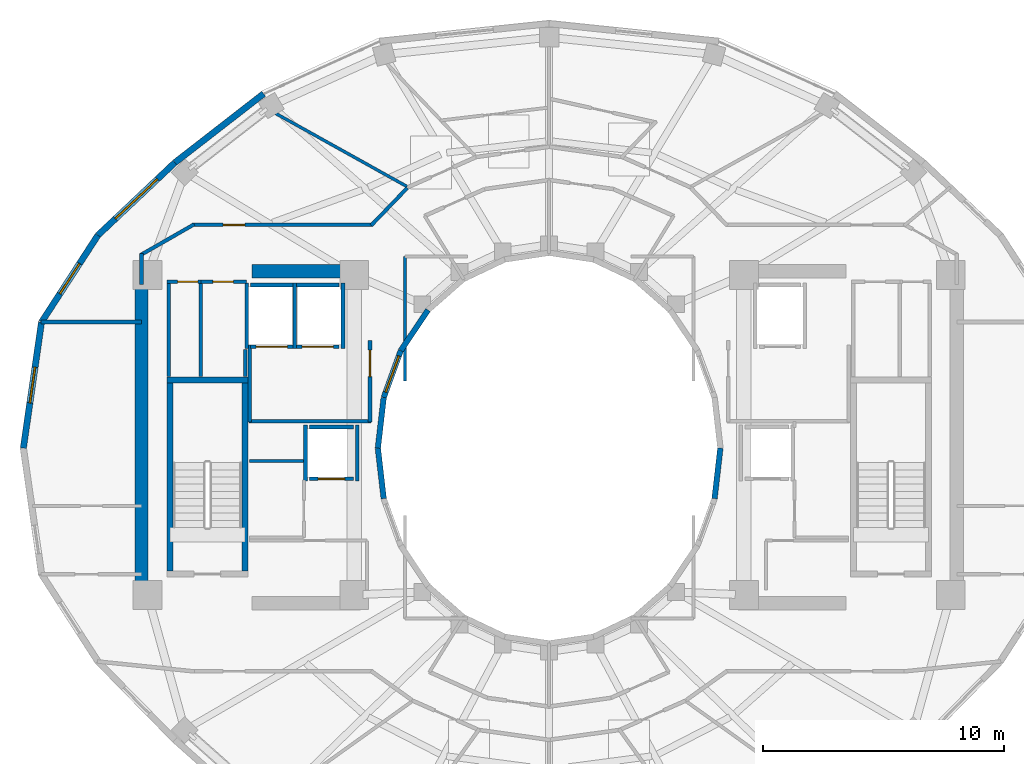
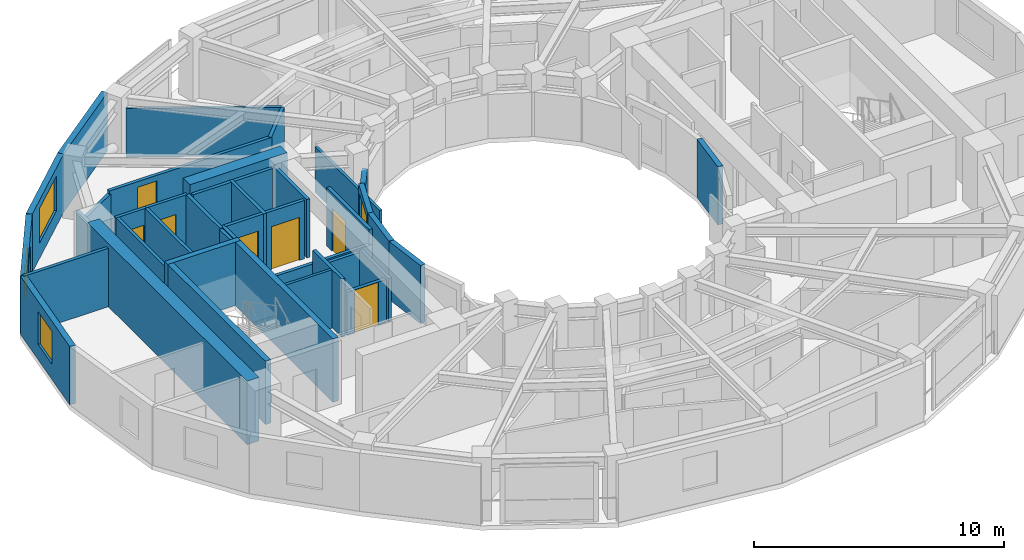
# One storey, part 11 of 16: 41 walls, 7 doors, 4 windows, 11 openings.
"""IFC4 building model written with IfcOpenShell, lengths in metres."""

from ifc_helpers import new_model, si_unit, direction, frame, frame_2d, origin, place, context, subcontext, project, spatial, rectangle, extrude, material, layer, layer_set, type_object, element, fill, save


model = new_model("IFC4")

# Units and contexts
model_context = context("Model", 3, precision=1e-05, world=origin(), true_north=direction((0.0, 1.0)))
body_context = subcontext(model_context, "Body", "Model", "MODEL_VIEW")
ifc_project = project(units=[si_unit("LENGTHUNIT", "METRE"), si_unit("AREAUNIT", "SQUARE_METRE"), si_unit("VOLUMEUNIT", "CUBIC_METRE"), si_unit("PLANEANGLEUNIT", "RADIAN"), si_unit("MASSUNIT", "GRAM", prefix="KILO")], contexts=[model_context])

# Site, building, storey
site_placement = place(None, origin())
site = spatial("IfcSite", under=ifc_project, at=site_placement, CompositionType="ELEMENT")
building_placement = place(site_placement, origin())
building = spatial("IfcBuilding", under=site, at=building_placement, Name="Solvane Sanctuary Tower", CompositionType="ELEMENT")
storey_placement = place(building_placement, frame((0.0, 0.0, 226.39990234375)))
storey = spatial("IfcBuildingStorey", under=building, at=storey_placement, Name="L69", CompositionType="ELEMENT", Elevation=226.39990234375)

# Walls
ifc_material_1 = material(Name="Concrete C50/60", Category="concrete")
ifc_layer_1 = layer(ifc_material_1, 0.550048828125, Name="Concrete C50/60")
ifc_layer_set_1 = layer_set([ifc_layer_1], Name="Concrete C50/60")
wall_type_1 = type_object("IfcWallType", Name="Wall W-CORE-550", PredefinedType="SHEAR", material=ifc_layer_set_1)
wall_1_placement = place(storey_placement, frame((15.050048828125, 17.050048828125, 0.0), z_axis=(0.0, 0.0, 1.0), x_axis=(0.0, 1.0, 0.0)))
element("IfcWall", 1, at=wall_1_placement, inside=storey, type_object=wall_type_1, Name="L69 Core Shear Wall WC-W", PredefinedType="SHEAR", context=body_context, shape_type="SweptSolid", body=[
    extrude(rectangle(XDim=12.800048828125, YDim=0.550048828125, at=frame_2d((6.39990234375, 0.0))), origin(), (0.0, 0.0, 1.0), 3.10009765625),
])
wall_2_placement = place(storey_placement, frame((19.64990234375, 30.35009765625, 0.0), z_axis=(0.0, 0.0, 1.0), x_axis=(1.0, 0.0, 0.0)))
element("IfcWall", 2, at=wall_2_placement, inside=storey, type_object=wall_type_1, Name="L69 Core Shear Wall WC-N", PredefinedType="SHEAR", context=body_context, shape_type="SweptSolid", body=[
    extrude(rectangle(XDim=4.5, YDim=0.550048828125, at=frame_2d((2.25, 0.0))), origin(), (0.0, 0.0, 1.0), 3.10009765625),
])
ifc_material_2 = material(Name="Acoustic Gypsum Partition Board")
ifc_layer_2 = layer(ifc_material_2, 0.14990234375, Name="Acoustic Gypsum Partition Board")
ifc_layer_set_2 = layer_set([ifc_layer_2], Name="Acoustic Gypsum Partition Board")
wall_type_2 = type_object("IfcWallType", Name="Wall W-CORR-150", PredefinedType="PARTITIONING", material=ifc_layer_set_2)
wall_3_placement = place(storey_placement, frame((19.52001953125, 24.1201171875, 0.0), z_axis=(0.0, 0.0, 1.0), x_axis=(1.0, 0.0, 0.0)))
element("IfcWall", 3, at=wall_3_placement, inside=storey, type_object=wall_type_2, Name="L69 West Firefighting Lobby South Wall", PredefinedType="PARTITIONING", context=body_context, shape_type="SweptSolid", body=[
    extrude(rectangle(XDim=5.080078125, YDim=0.14990234375, at=frame_2d((2.5400390625, 0.0))), origin(), (0.0, 0.0, 1.0), 2.1201171875),
])
wall_4_placement = place(storey_placement, frame((19.550048828125, 24.080078125, 0.0), z_axis=(0.0, 0.0, 1.0), x_axis=(0.0, 1.0, 0.0)))
element("IfcWall", 4, at=wall_4_placement, inside=storey, type_object=wall_type_2, Name="L69 West Firefighting Lobby West Wall", PredefinedType="PARTITIONING", context=body_context, shape_type="SweptSolid", body=[
    extrude(rectangle(XDim=3.199951171875, YDim=0.14990234375, at=frame_2d((1.60009765625, 0.0))), origin(), (0.0, 0.0, 1.0), 2.85498046875),
])

# Wall, opening, door
wall_5_placement = place(storey_placement, frame((24.550048828125, 24.080078125, 0.0), z_axis=(0.0, 0.0, 1.0), x_axis=(0.0, 1.0, 0.0)))
wall_5 = element("IfcWall", 5, at=wall_5_placement, inside=storey, type_object=wall_type_2, Name="L69 West Firefighting Lobby East Wall", PredefinedType="PARTITIONING", context=body_context, shape_type="SweptSolid", body=[
    extrude(rectangle(XDim=3.39990234375, YDim=0.14990234375, at=frame_2d((1.699951171875, 0.0))), origin(), (0.0, 0.0, 1.0), 2.85498046875),
])
opening_1_placement = place(wall_5_placement, frame((1.893798828125, 0.0, 0.0)))
opening_1 = element("IfcOpeningElement", 6, at=opening_1_placement, cuts=wall_5, Name="Opening D-L69-03", PredefinedType="OPENING", context=body_context, shape_type="SweptSolid", body=[
    extrude(rectangle(XDim=1.10009765625, YDim=2.10009765625, at=frame_2d((0.550048828125, 1.050048828125))), frame((0.0, 0.0849609375, 0.0), z_axis=(0.0, -1.0, 0.0), x_axis=(1.0, 0.0, 0.0)), (0.0, 0.0, 1.0), 0.169921875),
])
ifc_material_3 = material(Name="Architectural Stainless Steel 316", Category="steel")
door_type_1 = type_object("IfcDoorType", Name="Door D-FFL", OperationType="NOTDEFINED", PredefinedType="DOOR", material=ifc_material_3)
door_1_placement = place(opening_1_placement, origin())
door_1 = element("IfcDoor", 7, at=door_1_placement, inside=storey, type_object=door_type_1, Name="L69 West Firefighting Lobby Fire Door", OperationType="SINGLE_SWING_RIGHT", OverallHeight=2.10009765625, OverallWidth=1.10009765625, PredefinedType="DOOR", context=body_context, shape_type="SweptSolid", body=[
    extrude(rectangle(XDim=1.10009765625, YDim=2.10009765625, at=frame_2d((0.550048828125, 1.050048828125))), frame((0.0, 0.02490234375, 0.0), z_axis=(0.0, -1.0, 0.0), x_axis=(1.0, 0.0, 0.0)), (0.0, 0.0, 1.0), 0.050048828125),
])
fill(opening_1, door_1)

# Walls
wall_6_placement = place(storey_placement, frame((10.87548828125, 28.245361328125, 0.0), z_axis=(0.0, 0.0, 1.0), x_axis=(1.0, 0.0, 0.0)))
element("IfcWall", 8, at=wall_6_placement, inside=storey, type_object=wall_type_2, Name="L69 West Shoulder North Wall", PredefinedType="PARTITIONING", context=body_context, shape_type="SweptSolid", body=[
    extrude(rectangle(XDim=4.174560546875, YDim=0.14990234375, at=frame_2d((2.08740234375, 0.0))), origin(), (0.0, 0.0, 1.0), 2.85498046875),
])
wall_7_placement = place(storey_placement, frame((15.050048828125, 29.800048828125, 0.0), z_axis=(0.0, 0.0, 1.0), x_axis=(0.0, 1.0, 0.0)))
element("IfcWall", 9, at=wall_7_placement, inside=storey, type_object=wall_type_2, Name="L69 NW Corner Closer 1", PredefinedType="PARTITIONING", context=body_context, shape_type="SweptSolid", body=[
    extrude(rectangle(XDim=1.2900390625, YDim=0.14990234375, at=frame_2d((0.64501953125, 0.0))), origin(), (0.0, 0.0, 1.0), 2.85498046875),
])
wall_8_placement = place(storey_placement, frame((26.0966796875, 33.811767578125, 0.0), z_axis=(0.0, 0.0, 1.0), x_axis=(-0.694032962553, -0.719943224768, 0.0)))
element("IfcWall", 10, at=wall_8_placement, inside=storey, type_object=wall_type_2, Name="L69 NW Corner Throat Wall", PredefinedType="PARTITIONING", context=body_context, shape_type="SweptSolid", body=[
    extrude(rectangle(XDim=2.15771484375, YDim=0.14990234375, at=frame_2d((1.078857421875, 0.0))), origin(), (0.0, 0.0, 1.0), 2.3759765625),
])

# Wall, opening, door
wall_9_placement = place(storey_placement, frame((17.14990234375, 32.280029296875, 0.0), z_axis=(0.0, 0.0, 1.0), x_axis=(1.0, 0.0, 0.0)))
wall_9 = element("IfcWall", 11, at=wall_9_placement, inside=storey, type_object=wall_type_2, Name="L69 NW Corner Corridor Wall", PredefinedType="PARTITIONING", context=body_context, shape_type="SweptSolid", body=[
    extrude(rectangle(XDim=7.52001953125, YDim=0.14990234375, at=frame_2d((3.760009765625, 0.0))), origin(), (0.0, 0.0, 1.0), 2.3759765625),
])
opening_2_placement = place(wall_9_placement, frame((1.300048828125, 0.0, 0.0)))
opening_2 = element("IfcOpeningElement", 12, at=opening_2_placement, cuts=wall_9, Name="Opening D-L69-23", PredefinedType="OPENING", context=body_context, shape_type="SweptSolid", body=[
    extrude(rectangle(XDim=0.89990234375, YDim=2.10009765625, at=frame_2d((0.449951171875, 1.050048828125))), frame((0.0, 0.0849609375, 0.0), z_axis=(0.0, -1.0, 0.0), x_axis=(1.0, 0.0, 0.0)), (0.0, 0.0, 1.0), 0.169921875),
])
ifc_material_4 = material(Name="Engineered Tropical Hardwood", Category="wood")
door_type_2 = type_object("IfcDoorType", Name="Door D-WET-900", OperationType="NOTDEFINED", PredefinedType="DOOR", material=ifc_material_4)
door_2_placement = place(opening_2_placement, origin())
door_2 = element("IfcDoor", 13, at=door_2_placement, inside=storey, type_object=door_type_2, Name="L69 NW Corner Salon Door", OperationType="SINGLE_SWING_RIGHT", OverallHeight=2.10009765625, OverallWidth=0.89990234375, PredefinedType="DOOR", context=body_context, shape_type="SweptSolid", body=[
    extrude(rectangle(XDim=0.89990234375, YDim=2.10009765625, at=frame_2d((0.449951171875, 1.050048828125))), frame((0.0, 0.02490234375, 0.0), z_axis=(0.0, -1.0, 0.0), x_axis=(1.0, 0.0, 0.0)), (0.0, 0.0, 1.0), 0.050048828125),
])
fill(opening_2, door_2)

# Walls
wall_10_placement = place(storey_placement, frame((17.243408203125, 32.3046875, 0.0), z_axis=(0.0, 0.0, 1.0), x_axis=(-0.867991349648, -0.496579315857, 0.0)))
element("IfcWall", 14, at=wall_10_placement, inside=storey, type_object=wall_type_2, Name="L69 NW Corner Wing Wall", PredefinedType="PARTITIONING", context=body_context, shape_type="SweptSolid", body=[
    extrude(rectangle(XDim=2.56689453125, YDim=0.14990234375, at=frame_2d((1.283447265625, 0.0))), origin(), (0.0, 0.0, 1.0), 2.22021484375),
])
ifc_material_5 = material(Name="Precast concrete C40/50", Category="concrete")
ifc_layer_3 = layer(ifc_material_5, 0.260009765625, Name="Precast concrete C40/50")
ifc_layer_set_3 = layer_set([ifc_layer_3], Name="Precast concrete C40/50")
wall_type_3 = type_object("IfcWallType", Name="Wall W-EXT-250", PredefinedType="STANDARD", material=ifc_layer_set_3)
wall_11_placement = place(storey_placement, frame((20.1298828125, 37.732666015625, 0.0), z_axis=(0.0, 0.0, 1.0), x_axis=(-0.790126214723, -0.612944177563, 0.0)))
element("IfcWall", 15, at=wall_11_placement, inside=storey, type_object=wall_type_3, Name="L69 Ceramic-Printed Facade Wall 08", PredefinedType="STANDARD", context=body_context, shape_type="SweptSolid", body=[
    extrude(rectangle(XDim=4.6669921875, YDim=0.260009765625, at=frame_2d((2.33349609375, 0.0))), origin(), (0.0, 0.0, 1.0), 2.85009765625),
])

# Wall, opening, window
wall_12_placement = place(storey_placement, frame((16.4423828125, 34.8720703125, 0.0), z_axis=(0.0, 0.0, 1.0), x_axis=(-0.72731899451, -0.686299555752, 0.0)))
wall_12 = element("IfcWall", 16, at=wall_12_placement, inside=storey, type_object=wall_type_3, Name="L69 Ceramic-Printed Facade Wall 09", PredefinedType="STANDARD", context=body_context, shape_type="SweptSolid", body=[
    extrude(rectangle(XDim=4.404296875, YDim=0.260009765625, at=frame_2d((2.2021484375, 0.0))), origin(), (0.0, 0.0, 1.0), 2.85009765625),
])
opening_3_placement = place(wall_12_placement, frame((1.002197265625, 0.0, 0.75)))
opening_3 = element("IfcOpeningElement", 17, at=opening_3_placement, cuts=wall_12, Name="Opening WN-RIB-2400", PredefinedType="OPENING", context=body_context, shape_type="SweptSolid", body=[
    extrude(rectangle(XDim=2.39990234375, YDim=1.699951171875, at=frame_2d((1.199951171875, 0.85009765625))), frame((0.0, 0.139892578125, 0.0), z_axis=(0.0, -1.0, 0.0), x_axis=(1.0, 0.0, 0.0)), (0.0, 0.0, 1.0), 0.280029296875),
])
ifc_material_6 = material(Name="Dark Ceramic-Fritted Low-E Glass", Category="glass")
window_type_1 = type_object("IfcWindowType", Name="Window WN-RIB-2400", PartitioningType="SINGLE_PANEL", PredefinedType="WINDOW", material=ifc_material_6)
window_1_placement = place(opening_3_placement, origin())
window_1 = element("IfcWindow", 18, at=window_1_placement, inside=storey, type_object=window_type_1, Name="L69 Operable Facade Window 09", OverallHeight=1.699951171875, OverallWidth=2.39990234375, PartitioningType="SINGLE_PANEL", PredefinedType="WINDOW", context=body_context, shape_type="SweptSolid", body=[
    extrude(rectangle(XDim=2.39990234375, YDim=1.699951171875, at=frame_2d((1.199951171875, 0.85009765625))), frame((0.0, 0.030029296875, 0.0), z_axis=(0.0, -1.0, 0.0), x_axis=(1.0, 0.0, 0.0)), (0.0, 0.0, 1.0), 0.06005859375),
])
fill(opening_3, window_1)

wall_13_placement = place(storey_placement, frame((13.239013671875, 31.849365234375, 0.0), z_axis=(0.0, 0.0, 1.0), x_axis=(-0.544475908819, -0.838776480784, 0.0)))
wall_13 = element("IfcWall", 19, at=wall_13_placement, inside=storey, type_object=wall_type_3, Name="L69 Ceramic-Printed Facade Wall 10", PredefinedType="STANDARD", context=body_context, shape_type="SweptSolid", body=[
    extrude(rectangle(XDim=4.3046875, YDim=0.260009765625, at=frame_2d((2.15234375, 0.0))), origin(), (0.0, 0.0, 1.0), 2.85009765625),
])
opening_4_placement = place(wall_13_placement, frame((1.40234375, 0.0, 0.75)))
opening_4 = element("IfcOpeningElement", 20, at=opening_4_placement, cuts=wall_13, Name="Opening WN-OPER-1500", PredefinedType="OPENING", context=body_context, shape_type="SweptSolid", body=[
    extrude(rectangle(XDim=1.5, YDim=1.60009765625, at=frame_2d((0.75, 0.800048828125))), frame((0.0, 0.139892578125, 0.0), z_axis=(0.0, -1.0, 0.0), x_axis=(1.0, 0.0, 0.0)), (0.0, 0.0, 1.0), 0.280029296875),
])
window_type_2 = type_object("IfcWindowType", Name="Window WN-OPER-1500", PartitioningType="SINGLE_PANEL", PredefinedType="WINDOW", material=ifc_material_6)
window_2_placement = place(opening_4_placement, origin())
window_2 = element("IfcWindow", 21, at=window_2_placement, inside=storey, type_object=window_type_2, Name="L69 Operable Facade Window 10", OverallHeight=1.60009765625, OverallWidth=1.5, PartitioningType="SINGLE_PANEL", PredefinedType="WINDOW", context=body_context, shape_type="SweptSolid", body=[
    extrude(rectangle(XDim=1.5, YDim=1.60009765625, at=frame_2d((0.75, 0.800048828125))), frame((0.0, 0.030029296875, 0.0), z_axis=(0.0, -1.0, 0.0), x_axis=(1.0, 0.0, 0.0)), (0.0, 0.0, 1.0), 0.06005859375),
])
fill(opening_4, window_2)

wall_14_placement = place(storey_placement, frame((10.895263671875, 28.23876953125, 0.0), z_axis=(0.0, 0.0, 1.0), x_axis=(-0.142712754019, -0.989764148593, 0.0)))
wall_14 = element("IfcWall", 22, at=wall_14_placement, inside=storey, type_object=wall_type_3, Name="L69 Ceramic-Printed Facade Wall 11", PredefinedType="STANDARD", context=body_context, shape_type="SweptSolid", body=[
    extrude(rectangle(XDim=5.29296875, YDim=0.260009765625, at=frame_2d((2.646484375, 0.0))), origin(), (0.0, 0.0, 1.0), 2.85009765625),
])
opening_5_placement = place(wall_14_placement, frame((1.896484375, 0.0, 0.75)))
opening_5 = element("IfcOpeningElement", 23, at=opening_5_placement, cuts=wall_14, Name="Opening WN-OPER-1500", PredefinedType="OPENING", context=body_context, shape_type="SweptSolid", body=[
    extrude(rectangle(XDim=1.5, YDim=1.60009765625, at=frame_2d((0.75, 0.800048828125))), frame((0.0, 0.139892578125, 0.0), z_axis=(0.0, -1.0, 0.0), x_axis=(1.0, 0.0, 0.0)), (0.0, 0.0, 1.0), 0.280029296875),
])
window_3_placement = place(opening_5_placement, origin())
window_3 = element("IfcWindow", 24, at=window_3_placement, inside=storey, type_object=window_type_2, Name="L69 Operable Facade Window 11", OverallHeight=1.60009765625, OverallWidth=1.5, PartitioningType="SINGLE_PANEL", PredefinedType="WINDOW", context=body_context, shape_type="SweptSolid", body=[
    extrude(rectangle(XDim=1.5, YDim=1.60009765625, at=frame_2d((0.75, 0.800048828125))), frame((0.0, 0.030029296875, 0.0), z_axis=(0.0, -1.0, 0.0), x_axis=(1.0, 0.0, 0.0)), (0.0, 0.0, 1.0), 0.06005859375),
])
fill(opening_5, window_3)

# Wall
ifc_layer_4 = layer(ifc_material_5, 0.22998046875, Name="Precast concrete C40/50")
ifc_layer_set_4 = layer_set([ifc_layer_4], Name="Precast concrete C40/50")
wall_type_4 = type_object("IfcWallType", Name="Wall W-EXT-SP220", PredefinedType="STANDARD", material=ifc_layer_set_4)
wall_15_placement = place(storey_placement, frame((26.96533203125, 28.74169921875, 0.0), z_axis=(0.0, 0.0, 1.0), x_axis=(-0.558197800898, -0.829707909492, 0.0)))
element("IfcWall", 25, at=wall_15_placement, inside=storey, type_object=wall_type_4, Name="L69 Central Light-Well Wall 09", PredefinedType="STANDARD", context=body_context, shape_type="SweptSolid", body=[
    extrude(rectangle(XDim=2.02685546875, YDim=0.22998046875, at=frame_2d((1.013427734375, 0.0))), origin(), (0.0, 0.0, 1.0), 2.16015625),
])

# Wall, opening, window
wall_16_placement = place(storey_placement, frame((25.833984375, 27.06005859375, 0.0), z_axis=(0.0, 0.0, 1.0), x_axis=(-0.341423187295, -0.93990968033, 0.0)))
wall_16 = element("IfcWall", 26, at=wall_16_placement, inside=storey, type_object=wall_type_4, Name="L69 Central Light-Well Wall 10", PredefinedType="STANDARD", context=body_context, shape_type="SweptSolid", body=[
    extrude(rectangle(XDim=2.083740234375, YDim=0.22998046875, at=frame_2d((1.0419921875, 0.0))), origin(), (0.0, 0.0, 1.0), 2.840087890625),
])
opening_6_placement = place(wall_16_placement, frame((0.24169921875, 0.0, 0.85009765625)))
opening_6 = element("IfcOpeningElement", 27, at=opening_6_placement, cuts=wall_16, Name="Opening WN-WELL-1600", PredefinedType="OPENING", context=body_context, shape_type="SweptSolid", body=[
    extrude(rectangle(XDim=1.60009765625, YDim=1.64990234375, at=frame_2d((0.800048828125, 0.824951171875))), frame((0.0, 0.125, 0.0), z_axis=(0.0, -1.0, 0.0), x_axis=(1.0, 0.0, 0.0)), (0.0, 0.0, 1.0), 0.25),
])
ifc_material_7 = material(Name="Clear Laminated Light-Well Glass", Category="glass")
window_type_3 = type_object("IfcWindowType", Name="Window WN-WELL-1600", PartitioningType="SINGLE_PANEL", PredefinedType="WINDOW", material=ifc_material_7)
window_4_placement = place(opening_6_placement, origin())
window_4 = element("IfcWindow", 28, at=window_4_placement, inside=storey, type_object=window_type_3, Name="L69 Light-Well Daylight Window 10", OverallHeight=1.64990234375, OverallWidth=1.60009765625, PartitioningType="SINGLE_PANEL", PredefinedType="WINDOW", context=body_context, shape_type="SweptSolid", body=[
    extrude(rectangle(XDim=1.60009765625, YDim=1.64990234375, at=frame_2d((0.800048828125, 0.824951171875))), frame((0.0, 0.030029296875, 0.0), z_axis=(0.0, -1.0, 0.0), x_axis=(1.0, 0.0, 0.0)), (0.0, 0.0, 1.0), 0.06005859375),
])
fill(opening_6, window_4)

# Walls
for number, where, z_axis, x_axis, name in (
    (29, (25.12255859375, 25.1015625, 0.0), (0.0, 0.0, 1.0), (-0.114711713601, -0.993398823617, 0.0), "L69 Central Light-Well Wall 11"),
    (30, (24.8798828125, 23.0, 0.0), (0.0, 0.0, 1.0), (0.114711713601, -0.993398823617, 0.0), "L69 Central Light-Well Wall 12"),
    (31, (38.87744140625, 20.8984375, 0.0), (0.0, 0.0, 1.0), (0.114711713601, 0.993398823617, 0.0), "L69 Central Light-Well Wall 23"),
):
    element("IfcWall", number, at=place(storey_placement, frame(where, z_axis=z_axis, x_axis=x_axis)), inside=storey, type_object=wall_type_4, Name=name, PredefinedType="STANDARD", context=body_context, shape_type="SweptSolid", body=[
        extrude(rectangle(XDim=2.115478515625, YDim=0.22998046875, at=frame_2d((1.0576171875, 0.0))), origin(), (0.0, 0.0, 1.0), 2.840087890625),
    ])
ifc_layer_5 = layer(ifc_material_2, 0.125, Name="Acoustic Gypsum Partition Board")
ifc_layer_set_5 = layer_set([ifc_layer_5], Name="Acoustic Gypsum Partition Board")
wall_type_5 = type_object("IfcWallType", Name="Wall W-PART-125", PredefinedType="PARTITIONING", material=ifc_layer_set_5)
wall_17_placement = place(storey_placement, frame((19.550048828125, 22.4599609375, 0.0), z_axis=(0.0, 0.0, 1.0), x_axis=(1.0, 0.0, 0.0)))
element("IfcWall", 32, at=wall_17_placement, inside=storey, type_object=wall_type_5, Name="L69 Reclaimed Room Closer Wall PMW-2", PredefinedType="PARTITIONING", context=body_context, shape_type="SweptSolid", body=[
    extrude(rectangle(XDim=2.22998046875, YDim=0.125, at=frame_2d((1.114990234375, 0.0))), origin(), (0.0, 0.0, 1.0), 2.85498046875),
])
wall_18_placement = place(storey_placement, frame((26.0, 25.800048828125, 0.0), z_axis=(0.0, 0.0, 1.0), x_axis=(0.0, 1.0, 0.0)))
element("IfcWall", 33, at=wall_18_placement, inside=storey, type_object=wall_type_5, Name="L69 Bridge Alcove Wall 1", PredefinedType="PARTITIONING", context=body_context, shape_type="SweptSolid", body=[
    extrude(rectangle(XDim=5.159912109375, YDim=0.125, at=frame_2d((2.580078125, 0.0))), origin(), (0.0, 0.0, 1.0), 2.232177734375),
])
wall_19_placement = place(storey_placement, frame((26.0869140625, 33.8779296875, 0.0), z_axis=(0.0, 0.0, 1.0), x_axis=(-0.87377679808, 0.486327160599, 0.0)))
element("IfcWall", 34, at=wall_19_placement, inside=storey, type_object=wall_type_5, Name="L69 Radial Compartment Wall 120", PredefinedType="PARTITIONING", context=body_context, shape_type="SweptSolid", body=[
    extrude(rectangle(XDim=6.239501953125, YDim=0.125, at=frame_2d((3.11962890625, 0.0))), origin(), (0.0, 0.0, 1.0), 2.3759765625),
])

# Wall, opening, door
ifc_layer_6 = layer(ifc_material_1, 0.14990234375, Name="Concrete C50/60")
ifc_layer_set_6 = layer_set([ifc_layer_6], Name="Concrete C50/60")
wall_type_6 = type_object("IfcWallType", Name="Wall W-SHAFT-150", PredefinedType="SOLIDWALL", material=ifc_layer_set_6)
wall_20_placement = place(storey_placement, frame((22.0400390625, 21.719970703125, 0.0), z_axis=(0.0, 0.0, 1.0), x_axis=(1.0, 0.0, 0.0)))
wall_20 = element("IfcWall", 35, at=wall_20_placement, inside=storey, type_object=wall_type_6, Name="L69 PH-1 Lift Shaft Wall F", PredefinedType="SOLIDWALL", context=body_context, shape_type="SweptSolid", body=[
    extrude(rectangle(XDim=1.820068359375, YDim=0.14990234375, at=frame_2d((0.91015625, 0.0))), origin(), (0.0, 0.0, 1.0), 2.1201171875),
])
opening_7_placement = place(wall_20_placement, frame((0.360107421875, 0.0, 0.0)))
opening_7 = element("IfcOpeningElement", 36, at=opening_7_placement, cuts=wall_20, Name="Opening LD-L69-01", PredefinedType="OPENING", context=body_context, shape_type="SweptSolid", body=[
    extrude(rectangle(XDim=1.10009765625, YDim=2.10009765625, at=frame_2d((0.550048828125, 1.050048828125))), frame((0.0, 0.0849609375, 0.0), z_axis=(0.0, -1.0, 0.0), x_axis=(1.0, 0.0, 0.0)), (0.0, 0.0, 1.0), 0.169921875),
])
door_type_3 = type_object("IfcDoorType", Name="Door LD-PASS-1100", OperationType="NOTDEFINED", PredefinedType="DOOR", material=ifc_material_3)
door_3_placement = place(opening_7_placement, origin())
door_3 = element("IfcDoor", 37, at=door_3_placement, inside=storey, type_object=door_type_3, Name="L69 PH-1 Lift Landing Door", OperationType="DOUBLE_DOOR_SLIDING", OverallHeight=2.10009765625, OverallWidth=1.10009765625, PredefinedType="DOOR", context=body_context, shape_type="SweptSolid", body=[
    extrude(rectangle(XDim=1.10009765625, YDim=2.10009765625, at=frame_2d((0.550048828125, 1.050048828125))), frame((0.0, 0.02490234375, 0.0), z_axis=(0.0, -1.0, 0.0), x_axis=(1.0, 0.0, 0.0)), (0.0, 0.0, 1.0), 0.050048828125),
])
fill(opening_7, door_3)

# Walls
wall_21_placement = place(storey_placement, frame((22.0400390625, 23.8798828125, 0.0), z_axis=(0.0, 0.0, 1.0), x_axis=(1.0, 0.0, 0.0)))
element("IfcWall", 38, at=wall_21_placement, inside=storey, type_object=wall_type_6, Name="L69 PH-1 Lift Shaft Wall B", PredefinedType="SOLIDWALL", context=body_context, shape_type="SweptSolid", body=[
    extrude(rectangle(XDim=1.820068359375, YDim=0.14990234375, at=frame_2d((0.91015625, 0.0))), origin(), (0.0, 0.0, 1.0), 2.1201171875),
])
wall_22_placement = place(storey_placement, frame((21.8701171875, 21.639892578125, 0.0), z_axis=(0.0, 0.0, 1.0), x_axis=(0.0, 1.0, 0.0)))
element("IfcWall", 39, at=wall_22_placement, inside=storey, type_object=wall_type_6, Name="L69 PH-1 Lift Shaft Wall S1", PredefinedType="SOLIDWALL", context=body_context, shape_type="SweptSolid", body=[
    extrude(rectangle(XDim=2.320068359375, YDim=0.14990234375, at=frame_2d((1.16015625, 0.0))), origin(), (0.0, 0.0, 1.0), 2.85498046875),
])
wall_23_placement = place(storey_placement, frame((24.030029296875, 21.639892578125, 0.0), z_axis=(0.0, 0.0, 1.0), x_axis=(0.0, 1.0, 0.0)))
element("IfcWall", 40, at=wall_23_placement, inside=storey, type_object=wall_type_6, Name="L69 PH-1 Lift Shaft Wall S2", PredefinedType="SOLIDWALL", context=body_context, shape_type="SweptSolid", body=[
    extrude(rectangle(XDim=2.320068359375, YDim=0.14990234375, at=frame_2d((1.16015625, 0.0))), origin(), (0.0, 0.0, 1.0), 2.1201171875),
])

# Wall, opening, door
wall_24_placement = place(storey_placement, frame((19.590087890625, 27.219970703125, 0.0), z_axis=(0.0, 0.0, 1.0), x_axis=(1.0, 0.0, 0.0)))
wall_24 = element("IfcWall", 41, at=wall_24_placement, inside=storey, type_object=wall_type_6, Name="L69 FFL-1 Lift Shaft Wall F", PredefinedType="SOLIDWALL", context=body_context, shape_type="SweptSolid", body=[
    extrude(rectangle(XDim=1.760009765625, YDim=0.14990234375, at=frame_2d((0.8798828125, 0.0))), origin(), (0.0, 0.0, 1.0), 2.85498046875),
])
opening_8_placement = place(wall_24_placement, frame((0.22998046875, 0.0, 0.0)))
opening_8 = element("IfcOpeningElement", 42, at=opening_8_placement, cuts=wall_24, Name="Opening LD-L69-03", PredefinedType="OPENING", context=body_context, shape_type="SweptSolid", body=[
    extrude(rectangle(XDim=1.300048828125, YDim=2.10009765625, at=frame_2d((0.64990234375, 1.050048828125))), frame((0.0, 0.0849609375, 0.0), z_axis=(0.0, -1.0, 0.0), x_axis=(1.0, 0.0, 0.0)), (0.0, 0.0, 1.0), 0.169921875),
])
door_type_4 = type_object("IfcDoorType", Name="Door LD-FFL-1300", OperationType="NOTDEFINED", PredefinedType="DOOR", material=ifc_material_3)
door_4_placement = place(opening_8_placement, origin())
door_4 = element("IfcDoor", 43, at=door_4_placement, inside=storey, type_object=door_type_4, Name="L69 FFL-1 Lift Landing Door", OperationType="DOUBLE_DOOR_SLIDING", OverallHeight=2.10009765625, OverallWidth=1.300048828125, PredefinedType="DOOR", context=body_context, shape_type="SweptSolid", body=[
    extrude(rectangle(XDim=1.300048828125, YDim=2.10009765625, at=frame_2d((0.64990234375, 1.050048828125))), frame((0.0, 0.02490234375, 0.0), z_axis=(0.0, -1.0, 0.0), x_axis=(1.0, 0.0, 0.0)), (0.0, 0.0, 1.0), 0.050048828125),
])
fill(opening_8, door_4)

# Walls
wall_25_placement = place(storey_placement, frame((19.590087890625, 29.780029296875, 0.0), z_axis=(0.0, 0.0, 1.0), x_axis=(1.0, 0.0, 0.0)))
element("IfcWall", 44, at=wall_25_placement, inside=storey, type_object=wall_type_6, Name="L69 FFL-1 Lift Shaft Wall B", PredefinedType="SOLIDWALL", context=body_context, shape_type="SweptSolid", body=[
    extrude(rectangle(XDim=1.760009765625, YDim=0.14990234375, at=frame_2d((0.8798828125, 0.0))), origin(), (0.0, 0.0, 1.0), 2.85498046875),
])
for number, where, z_axis, x_axis, name in (
    (45, (19.419921875, 27.139892578125, 0.0), (0.0, 0.0, 1.0), (0.0, 1.0, 0.0), "L69 FFL-1 Lift Shaft Wall S1"),
    (46, (21.425048828125, 27.139892578125, 0.0), (0.0, 0.0, 1.0), (0.0, 1.0, 0.0), "L69 FFL-1 Lift Shaft Wall S2"),
):
    element("IfcWall", number, at=place(storey_placement, frame(where, z_axis=z_axis, x_axis=x_axis)), inside=storey, type_object=wall_type_6, Name=name, PredefinedType="SOLIDWALL", context=body_context, shape_type="SweptSolid", body=[
        extrude(rectangle(XDim=2.72021484375, YDim=0.14990234375, at=frame_2d((1.360107421875, 0.0))), origin(), (0.0, 0.0, 1.0), 2.85498046875),
    ])

# Wall, opening, door
wall_26_placement = place(storey_placement, frame((21.5, 27.219970703125, 0.0), z_axis=(0.0, 0.0, 1.0), x_axis=(1.0, 0.0, 0.0)))
wall_26 = element("IfcWall", 47, at=wall_26_placement, inside=storey, type_object=wall_type_6, Name="L69 SVL-1 Lift Shaft Wall F", PredefinedType="SOLIDWALL", context=body_context, shape_type="SweptSolid", body=[
    extrude(rectangle(XDim=1.760009765625, YDim=0.14990234375, at=frame_2d((0.8798828125, 0.0))), origin(), (0.0, 0.0, 1.0), 2.85498046875),
])
opening_9_placement = place(wall_26_placement, frame((0.22998046875, 0.0, 0.0)))
opening_9 = element("IfcOpeningElement", 48, at=opening_9_placement, cuts=wall_26, Name="Opening LD-L69-04", PredefinedType="OPENING", context=body_context, shape_type="SweptSolid", body=[
    extrude(rectangle(XDim=1.300048828125, YDim=2.10009765625, at=frame_2d((0.64990234375, 1.050048828125))), frame((0.0, 0.0849609375, 0.0), z_axis=(0.0, -1.0, 0.0), x_axis=(1.0, 0.0, 0.0)), (0.0, 0.0, 1.0), 0.169921875),
])
door_5_placement = place(opening_9_placement, origin())
door_5 = element("IfcDoor", 49, at=door_5_placement, inside=storey, type_object=door_type_4, Name="L69 SVL-1 Lift Landing Door", OperationType="DOUBLE_DOOR_SLIDING", OverallHeight=2.10009765625, OverallWidth=1.300048828125, PredefinedType="DOOR", context=body_context, shape_type="SweptSolid", body=[
    extrude(rectangle(XDim=1.300048828125, YDim=2.10009765625, at=frame_2d((0.64990234375, 1.050048828125))), frame((0.0, 0.02490234375, 0.0), z_axis=(0.0, -1.0, 0.0), x_axis=(1.0, 0.0, 0.0)), (0.0, 0.0, 1.0), 0.050048828125),
])
fill(opening_9, door_5)

# Walls
wall_27_placement = place(storey_placement, frame((21.5, 29.780029296875, 0.0), z_axis=(0.0, 0.0, 1.0), x_axis=(1.0, 0.0, 0.0)))
element("IfcWall", 50, at=wall_27_placement, inside=storey, type_object=wall_type_6, Name="L69 SVL-1 Lift Shaft Wall B", PredefinedType="SOLIDWALL", context=body_context, shape_type="SweptSolid", body=[
    extrude(rectangle(XDim=1.760009765625, YDim=0.14990234375, at=frame_2d((0.8798828125, 0.0))), origin(), (0.0, 0.0, 1.0), 2.85498046875),
])
wall_28_placement = place(storey_placement, frame((23.429931640625, 27.139892578125, 0.0), z_axis=(0.0, 0.0, 1.0), x_axis=(0.0, 1.0, 0.0)))
element("IfcWall", 51, at=wall_28_placement, inside=storey, type_object=wall_type_6, Name="L69 SVL-1 Lift Shaft Wall S2", PredefinedType="SOLIDWALL", context=body_context, shape_type="SweptSolid", body=[
    extrude(rectangle(XDim=2.72021484375, YDim=0.14990234375, at=frame_2d((1.360107421875, 0.0))), origin(), (0.0, 0.0, 1.0), 2.85498046875),
])
ifc_layer_7 = layer(ifc_material_1, 0.25, Name="Concrete C50/60")
ifc_layer_set_7 = layer_set([ifc_layer_7], Name="Concrete C50/60")
wall_type_7 = type_object("IfcWallType", Name="Wall W-SHAFT-250", PredefinedType="SOLIDWALL", material=ifc_layer_set_7)
wall_29_placement = place(storey_placement, frame((16.10498046875, 25.830078125, 0.0), z_axis=(0.0, 0.0, 1.0), x_axis=(1.0, 0.0, 0.0)))
element("IfcWall", 52, at=wall_29_placement, inside=storey, type_object=wall_type_7, Name="L69 ST-1 Load-Bearing Shaft Wall N", PredefinedType="SOLIDWALL", context=body_context, shape_type="SweptSolid", body=[
    extrude(rectangle(XDim=3.3701171875, YDim=0.25, at=frame_2d((1.68505859375, 0.0))), origin(), (0.0, 0.0, 1.0), 3.10009765625),
])
for number, where, z_axis, x_axis, name in (
    (53, (16.22998046875, 17.89501953125, 0.0), (0.0, 0.0, 1.0), (0.0, 1.0, 0.0), "L69 ST-1 Load-Bearing Shaft Wall W"),
    (54, (19.35009765625, 17.89501953125, 0.0), (0.0, 0.0, 1.0), (0.0, 1.0, 0.0), "L69 ST-1 Load-Bearing Shaft Wall E"),
):
    element("IfcWall", number, at=place(storey_placement, frame(where, z_axis=z_axis, x_axis=x_axis)), inside=storey, type_object=wall_type_7, Name=name, PredefinedType="SOLIDWALL", context=body_context, shape_type="SweptSolid", body=[
        extrude(rectangle(XDim=7.81005859375, YDim=0.25, at=frame_2d((3.905029296875, 0.0))), origin(), (0.0, 0.0, 1.0), 3.10009765625),
    ])

# Wall, opening, door
ifc_layer_8 = layer(ifc_material_2, 0.139892578125, Name="Acoustic Gypsum Partition Board")
ifc_layer_set_8 = layer_set([ifc_layer_8], Name="Acoustic Gypsum Partition Board")
wall_type_8 = type_object("IfcWallType", Name="Wall W-WET-140", PredefinedType="PLUMBINGWALL", material=ifc_layer_set_8)
wall_30_placement = place(storey_placement, frame((16.1201171875, 29.919921875, 0.0), z_axis=(0.0, 0.0, 1.0), x_axis=(1.0, 0.0, 0.0)))
wall_30 = element("IfcWall", 55, at=wall_30_placement, inside=storey, type_object=wall_type_8, Name="L69 Core Service Front Wall KW1", PredefinedType="PLUMBINGWALL", context=body_context, shape_type="SweptSolid", body=[
    extrude(rectangle(XDim=1.39990234375, YDim=0.139892578125, at=frame_2d((0.699951171875, 0.0))), origin(), (0.0, 0.0, 1.0), 2.85498046875),
])
opening_10_placement = place(wall_30_placement, frame((0.429931640625, 0.0, 0.0)))
opening_10 = element("IfcOpeningElement", 56, at=opening_10_placement, cuts=wall_30, Name="Opening D-L69-09", PredefinedType="OPENING", context=body_context, shape_type="SweptSolid", body=[
    extrude(rectangle(XDim=0.85009765625, YDim=2.050048828125, at=frame_2d((0.425048828125, 1.02490234375))), frame((0.0, 0.079833984375, 0.0), z_axis=(0.0, -1.0, 0.0), x_axis=(1.0, 0.0, 0.0)), (0.0, 0.0, 1.0), 0.159912109375),
])
door_type_5 = type_object("IfcDoorType", Name="Door D-RISER", OperationType="NOTDEFINED", PredefinedType="DOOR", material=ifc_material_3)
door_6_placement = place(opening_10_placement, origin())
door_6 = element("IfcDoor", 57, at=door_6_placement, inside=storey, type_object=door_type_5, Name="L69 Core Service Room Door KW1-1", OperationType="SINGLE_SWING_RIGHT", OverallHeight=2.050048828125, OverallWidth=0.85009765625, PredefinedType="DOOR", context=body_context, shape_type="SweptSolid", body=[
    extrude(rectangle(XDim=0.85009765625, YDim=2.050048828125, at=frame_2d((0.425048828125, 1.02490234375))), frame((0.0, 0.02490234375, 0.0), z_axis=(0.0, -1.0, 0.0), x_axis=(1.0, 0.0, 0.0)), (0.0, 0.0, 1.0), 0.050048828125),
])
fill(opening_10, door_6)

# Walls
for number, where, z_axis, x_axis, name in (
    (58, (16.179931640625, 25.97998046875, 0.0), (0.0, 0.0, 1.0), (0.0, 1.0, 0.0), "L69 Core Service Side Wall KW1-1"),
    (59, (17.52001953125, 25.97998046875, 0.0), (0.0, 0.0, 1.0), (0.0, 1.0, 0.0), "L69 Core Service Side Wall KW1-2"),
):
    element("IfcWall", number, at=place(storey_placement, frame(where, z_axis=z_axis, x_axis=x_axis)), inside=storey, type_object=wall_type_8, Name=name, PredefinedType="PLUMBINGWALL", context=body_context, shape_type="SweptSolid", body=[
        extrude(rectangle(XDim=3.880126953125, YDim=0.139892578125, at=frame_2d((1.93994140625, 0.0))), origin(), (0.0, 0.0, 1.0), 2.85498046875),
    ])

# Wall, opening, door
wall_31_placement = place(storey_placement, frame((17.52001953125, 29.919921875, 0.0), z_axis=(0.0, 0.0, 1.0), x_axis=(1.0, 0.0, 0.0)))
wall_31 = element("IfcWall", 60, at=wall_31_placement, inside=storey, type_object=wall_type_8, Name="L69 Core Service Front Wall KW2", PredefinedType="PLUMBINGWALL", context=body_context, shape_type="SweptSolid", body=[
    extrude(rectangle(XDim=1.89990234375, YDim=0.139892578125, at=frame_2d((0.949951171875, 0.0))), origin(), (0.0, 0.0, 1.0), 2.85498046875),
])
opening_11_placement = place(wall_31_placement, frame((0.5, 0.0, 0.0)))
opening_11 = element("IfcOpeningElement", 61, at=opening_11_placement, cuts=wall_31, Name="Opening D-L69-10", PredefinedType="OPENING", context=body_context, shape_type="SweptSolid", body=[
    extrude(rectangle(XDim=0.85009765625, YDim=2.050048828125, at=frame_2d((0.425048828125, 1.02490234375))), frame((0.0, 0.079833984375, 0.0), z_axis=(0.0, -1.0, 0.0), x_axis=(1.0, 0.0, 0.0)), (0.0, 0.0, 1.0), 0.159912109375),
])
door_7_placement = place(opening_11_placement, origin())
door_7 = element("IfcDoor", 62, at=door_7_placement, inside=storey, type_object=door_type_5, Name="L69 Core Service Room Door KW2-1", OperationType="SINGLE_SWING_LEFT", OverallHeight=2.050048828125, OverallWidth=0.85009765625, PredefinedType="DOOR", context=body_context, shape_type="SweptSolid", body=[
    extrude(rectangle(XDim=0.85009765625, YDim=2.050048828125, at=frame_2d((0.425048828125, 1.02490234375))), frame((0.0, 0.02490234375, 0.0), z_axis=(0.0, -1.0, 0.0), x_axis=(1.0, 0.0, 0.0)), (0.0, 0.0, 1.0), 0.050048828125),
])
fill(opening_11, door_7)

# Wall
wall_32_placement = place(storey_placement, frame((19.360107421875, 25.97998046875, 0.0), z_axis=(0.0, 0.0, 1.0), x_axis=(0.0, 1.0, 0.0)))
element("IfcWall", 63, at=wall_32_placement, inside=storey, type_object=wall_type_8, Name="L69 Core Service Side Wall KW2-1", PredefinedType="PLUMBINGWALL", context=body_context, shape_type="SweptSolid", body=[
    extrude(rectangle(XDim=1.1201171875, YDim=0.139892578125, at=frame_2d((0.56005859375, 0.0))), origin(), (0.0, 0.0, 1.0), 2.85498046875),
])

save(model, "model.ifc")
